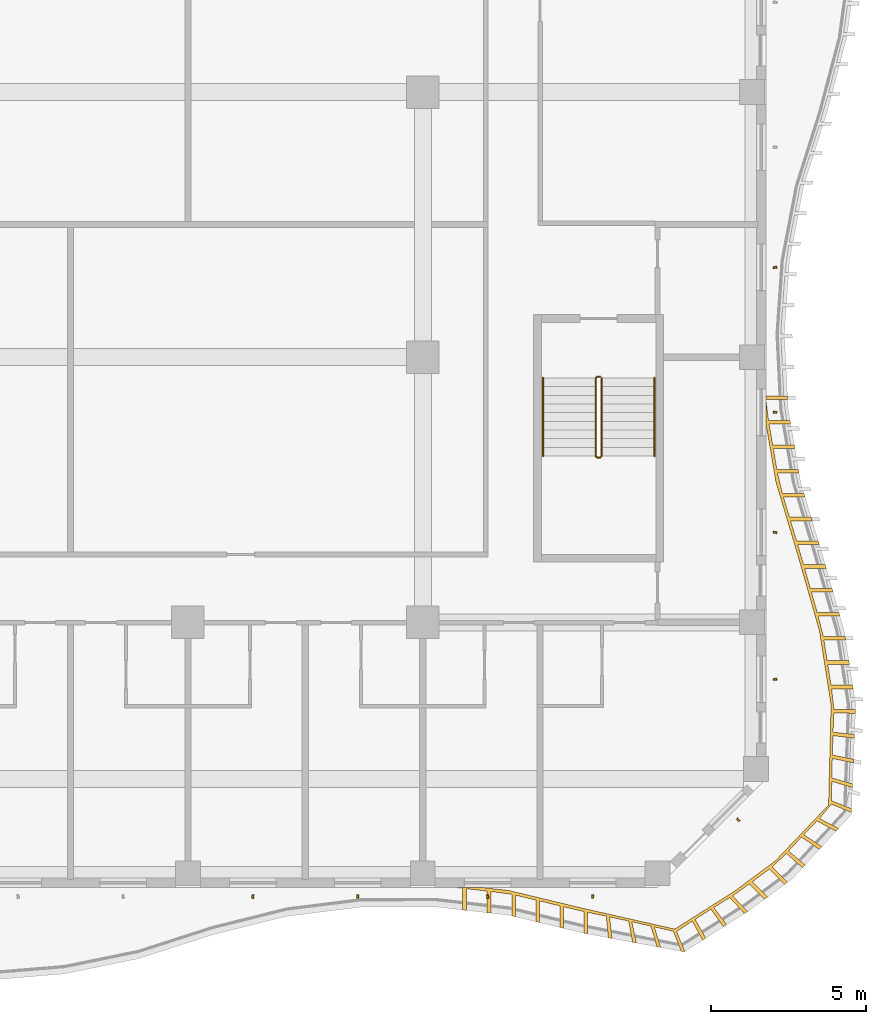
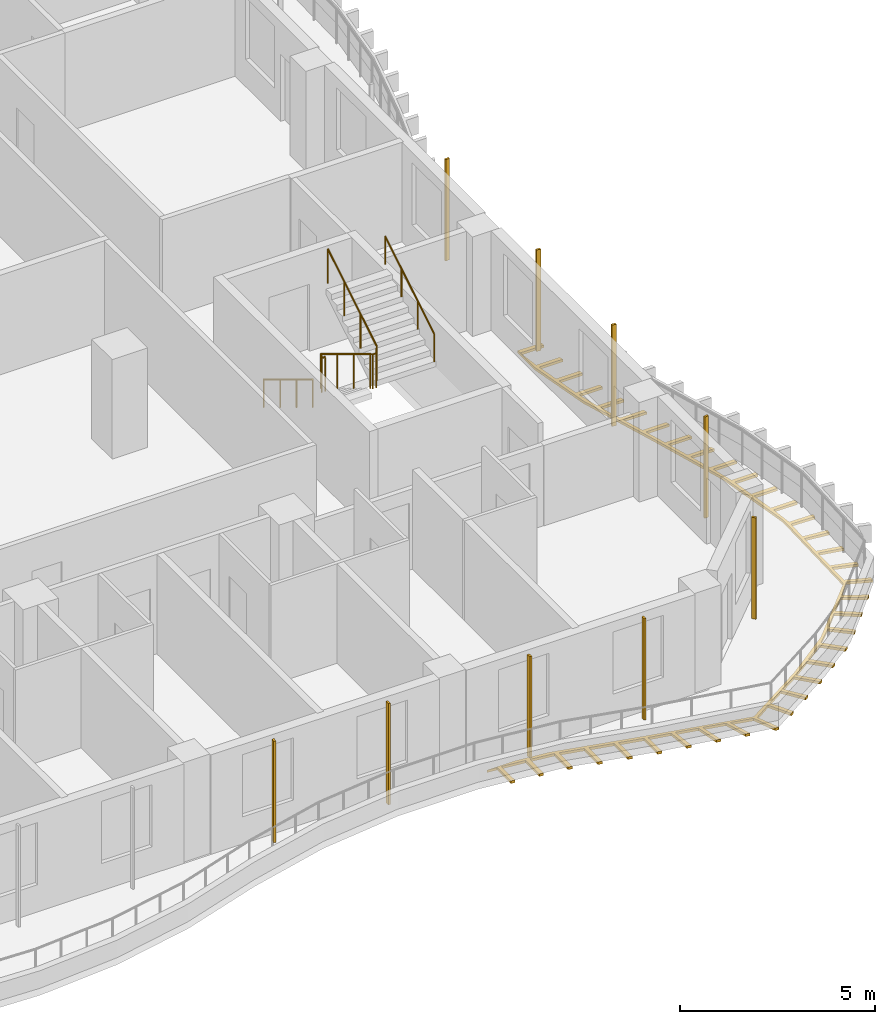
# One storey, part 19 of 24: 10 shading devices, 3 railings.
"""IFC4 building model written with IfcOpenShell, lengths in metres."""

from ifc_helpers import new_model, si_unit, direction, frame, origin, origin_2d, place, context, subcontext, project, spatial, polyline, rectangle, circle, outline, extrude, source, transform, mapped, material, layer, layer_set, material_profile, profile_set, type_object, element, save


model = new_model("IFC4")

# Units and contexts
model_context = context("Model", 3, precision=1e-05, world=origin(), true_north=direction((0.0, 1.0)))
body_context = subcontext(model_context, "Body", "Model", "MODEL_VIEW")
ifc_project = project(units=[si_unit("LENGTHUNIT", "METRE"), si_unit("AREAUNIT", "SQUARE_METRE"), si_unit("VOLUMEUNIT", "CUBIC_METRE"), si_unit("PLANEANGLEUNIT", "RADIAN"), si_unit("MASSUNIT", "GRAM", prefix="KILO")], contexts=[model_context])

# Site, building, storey
site_placement = place(None, origin())
site = spatial("IfcSite", under=ifc_project, at=site_placement, CompositionType="ELEMENT")
building_placement = place(site_placement, origin())
building = spatial("IfcBuilding", under=site, at=building_placement, Name="Kilnfold Tower and Market Hall", CompositionType="ELEMENT")
storey_placement = place(building_placement, frame((0.0, 0.0, 175.300048828125)))
storey = spatial("IfcBuildingStorey", under=building, at=storey_placement, Name="L41", CompositionType="ELEMENT", Elevation=175.300048828125)

# Railings
ifc_material_1 = material(Name="Stainless steel 316", Category="steel")
railing_type_1 = type_object("IfcRailingType", Name="CORE STAIR GUARD 1100", PredefinedType="GUARDRAIL", material=ifc_material_1)
railing_1_placement = place(storey_placement, frame((19.89990234375, -9.75, 0.0)))
element("IfcRailing", 1, at=railing_1_placement, inside=storey, type_object=railing_type_1, Name="L41 ST4 stair guard 1", PredefinedType="GUARDRAIL", context=body_context, shape_type="SweptSolid", body=[
    extrude(circle(Radius=0.02392578125, at=origin_2d()), frame((0.0, 0.0, 1.076171875), z_axis=(-1.0, 0.0, 0.0), x_axis=(0.0, -1.0, 0.0)), (0.0, 0.0, 1.0), 0.099853515625),
    extrude(circle(Radius=0.02392578125, at=origin_2d()), frame((-0.099853515625, 0.0, 1.076171875), z_axis=(-0.271895245746, -0.271895245746, 0.923117517265), x_axis=(0.707106781187, -0.707106781187, 0.0)), (0.0, 0.0, 1.0), 0.18408203125),
    extrude(circle(Radius=0.02392578125, at=origin_2d()), frame((-0.14990234375, -0.050048828125, 1.24609375), z_axis=(0.0, -0.85478489116, 0.518982456201), x_axis=(1.0, 0.0, 0.0)), (0.0, 0.0, 1.0), 2.9482421875),
    extrude(circle(Radius=0.02392578125, at=origin_2d()), frame((-0.14990234375, -2.570068359375, 2.77587890625), z_axis=(0.707106781187, -0.707106781187, 0.0), x_axis=(0.707106781187, 0.707106781187, 0.0)), (0.0, 0.0, 1.0), 0.07080078125),
    extrude(circle(Radius=0.02392578125, at=origin_2d()), frame((-0.099853515625, -2.6201171875, 2.77587890625), z_axis=(1.0, 0.0, 0.0), x_axis=(0.0, 1.0, 0.0)), (0.0, 0.0, 1.0), 0.099853515625),
    extrude(circle(Radius=0.02392578125, at=origin_2d()), frame((0.0, -2.6201171875, 2.77587890625), z_axis=(0.271895245746, 0.271895245746, 0.923117517265), x_axis=(-0.707106781187, 0.707106781187, 0.0)), (0.0, 0.0, 1.0), 0.18408203125),
    extrude(circle(Radius=0.02392578125, at=origin_2d()), frame((0.050048828125, -2.570068359375, 2.94580078125), z_axis=(0.0, 0.85478489116, 0.518982456201), x_axis=(-1.0, 0.0, 0.0)), (0.0, 0.0, 1.0), 2.9482421875),
    extrude(circle(Radius=0.02099609375, at=origin_2d()), origin(), (0.0, 0.0, 1.0), 1.052001953125),
    extrude(circle(Radius=0.02099609375, at=origin_2d()), frame((-0.099853515625, 0.0, 0.0)), (0.0, 0.0, 1.0), 1.052001953125),
    extrude(circle(Radius=0.02099609375, at=origin_2d()), frame((-0.14990234375, -0.050048828125, 0.169921875)), (0.0, 0.0, 1.0), 1.052001953125),
    extrude(circle(Radius=0.02099609375, at=origin_2d()), frame((-0.14990234375, -0.89013671875, 0.679931640625)), (0.0, 0.0, 1.0), 1.052001953125),
    extrude(circle(Radius=0.02099609375, at=origin_2d()), frame((-0.14990234375, -1.72998046875, 1.18994140625)), (0.0, 0.0, 1.0), 1.052001953125),
    extrude(circle(Radius=0.02099609375, at=origin_2d()), frame((-0.14990234375, -2.570068359375, 1.699951171875)), (0.0, 0.0, 1.0), 1.052001953125),
    extrude(circle(Radius=0.02099609375, at=origin_2d()), frame((-0.099853515625, -2.6201171875, 1.699951171875)), (0.0, 0.0, 1.0), 1.052001953125),
    extrude(circle(Radius=0.02099609375, at=origin_2d()), frame((0.0, -2.6201171875, 1.699951171875)), (0.0, 0.0, 1.0), 1.052001953125),
    extrude(circle(Radius=0.02099609375, at=origin_2d()), frame((0.050048828125, -2.570068359375, 1.869873046875)), (0.0, 0.0, 1.0), 1.052001953125),
    extrude(circle(Radius=0.02099609375, at=origin_2d()), frame((0.050048828125, -1.72998046875, 2.3798828125)), (0.0, 0.0, 1.0), 1.052001953125),
    extrude(circle(Radius=0.02099609375, at=origin_2d()), frame((0.050048828125, -0.89013671875, 2.889892578125)), (0.0, 0.0, 1.0), 1.052001953125),
    extrude(circle(Radius=0.02099609375, at=origin_2d()), frame((0.050048828125, -0.050048828125, 3.39990234375)), (0.0, 0.0, 1.0), 1.052001953125),
])
ifc_material_2 = material(Name="Stainless steel 316", Category="steel")
railing_type_2 = type_object("IfcRailingType", Name="CORE STAIR HANDRAIL 900", PredefinedType="HANDRAIL", material=ifc_material_2)
railing_2_placement = place(storey_placement, frame((18.050048828125, -9.800048828125, 0.169921875)))
element("IfcRailing", 2, at=railing_2_placement, inside=storey, type_object=railing_type_2, Name="L41 ST4 stair handrail 1", PredefinedType="HANDRAIL", context=body_context, shape_type="SweptSolid", body=[
    extrude(circle(Radius=0.02392578125, at=origin_2d()), frame((0.0, 0.0, 0.8759765625), z_axis=(0.0, -0.85478489116, 0.518982456201), x_axis=(1.0, 0.0, 0.0)), (0.0, 0.0, 1.0), 2.9482421875),
    extrude(circle(Radius=0.02099609375, at=origin_2d()), origin(), (0.0, 0.0, 1.0), 0.851806640625),
    extrude(circle(Radius=0.02099609375, at=origin_2d()), frame((0.0, -0.840087890625, 0.510009765625)), (0.0, 0.0, 1.0), 0.851806640625),
    extrude(circle(Radius=0.02099609375, at=origin_2d()), frame((0.0, -1.679931640625, 1.02001953125)), (0.0, 0.0, 1.0), 0.851806640625),
    extrude(circle(Radius=0.02099609375, at=origin_2d()), frame((0.0, -2.52001953125, 1.530029296875)), (0.0, 0.0, 1.0), 0.851806640625),
])
railing_3_placement = place(storey_placement, frame((21.64990234375, -12.320068359375, 1.869873046875)))
element("IfcRailing", 3, at=railing_3_placement, inside=storey, type_object=railing_type_2, Name="L41 ST4 stair handrail 2", PredefinedType="HANDRAIL", context=body_context, shape_type="SweptSolid", body=[
    extrude(circle(Radius=0.02392578125, at=origin_2d()), frame((0.0, 0.0, 0.8759765625), z_axis=(0.0, 0.85478489116, 0.518982456201), x_axis=(-1.0, 0.0, 0.0)), (0.0, 0.0, 1.0), 2.9482421875),
    extrude(circle(Radius=0.02099609375, at=origin_2d()), origin(), (0.0, 0.0, 1.0), 0.851806640625),
    extrude(circle(Radius=0.02099609375, at=origin_2d()), frame((0.0, 0.840087890625, 0.510009765625)), (0.0, 0.0, 1.0), 0.851806640625),
    extrude(circle(Radius=0.02099609375, at=origin_2d()), frame((0.0, 1.679931640625, 1.02001953125)), (0.0, 0.0, 1.0), 0.851806640625),
    extrude(circle(Radius=0.02099609375, at=origin_2d()), frame((0.0, 2.52001953125, 1.530029296875)), (0.0, 0.0, 1.0), 0.851806640625),
])

# Shading devices
ifc_material_3 = material(Name="Terracotta", Category="masonry")
ifc_material_profile = material_profile(ifc_material_3, rectangle(XDim=0.06005859375, YDim=0.1201171875, at=origin_2d()), Name="BAG 60x120")
ifc_profile_set = profile_set([ifc_material_profile], Name="Terracotta")
shading_device_type_1 = type_object("IfcShadingDeviceType", Name="BAGUETTE", PredefinedType="USERDEFINED", material=ifc_profile_set)
shared_shape_1 = source(origin(), body_context, "Body", "SweptSolid", [
    extrude(rectangle(XDim=0.06005859375, YDim=0.1201171875, at=origin_2d()), origin(), (0.0, 0.0, 1.0), 3.179931640625),
])
for number, where, z_axis, x_axis, name in (
    (4, (8.67919921875, -26.550048828125, 0.0), (0.0, 0.0, 1.0), (0.990278996317, -0.139095325059, 0.0), "Terracotta baguette L41 S"),
    (5, (12.07080078125, -26.550048828125, 0.0), (0.0, 0.0, 1.0), (0.999997843157, -0.002076940317, 0.0), "Terracotta baguette L41 S"),
    (6, (16.262451171875, -26.550048828125, 0.0), (0.0, 0.0, 1.0), (0.991092310922, 0.133176691771, 0.0), "Terracotta baguette L41 S"),
    (7, (19.654296875, -26.550048828125, 0.0), (0.0, 0.0, 1.0), (0.999417809691, -0.034118054926, 0.0), "Terracotta baguette L41 S"),
    (8, (24.35498046875, -24.0693359375, 0.0), (0.0, 0.0, 1.0), (0.747496733357, 0.664265484292, 0.0), "Terracotta baguette L41 SE"),
    (9, (25.550048828125, -19.53173828125, 0.0), (0.0, 0.0, 1.0), (-0.137802391443, 0.990459742197, 0.0), "Terracotta baguette L41 E"),
    (10, (25.550048828125, -14.78759765625, 0.0), (0.0, 0.0, 1.0), (0.08975825786, 0.995963581235, 0.0), "Terracotta baguette L41 E"),
    (11, (25.550048828125, -10.90625, 0.0), (0.0, 0.0, 1.0), (0.089864292697, 0.99595401947, 0.0), "Terracotta baguette L41 E"),
    (12, (25.550048828125, -6.22509765625, 0.0), (0.0, 0.0, 1.0), (-0.137174853584, 0.990546848738, 0.0), "Terracotta baguette L41 E"),
):
    element("IfcShadingDevice", number, at=place(storey_placement, frame(where, z_axis=z_axis, x_axis=x_axis)), inside=storey, type_object=shading_device_type_1, Name=name, ObjectType="BAGUETTE", PredefinedType="USERDEFINED", context=body_context, shape_type="MappedRepresentation", body=[
        mapped(shared_shape_1, transform((0.0, 0.0, 0.0))),
    ])
ifc_material_4 = material(Name="Bronze anodised aluminium", Category="aluminium")
ifc_layer = layer(ifc_material_4, 0.080078125)
ifc_layer_set = layer_set([ifc_layer], Name="Bronze anodised aluminium")
shading_device_type_2 = type_object("IfcShadingDeviceType", Name="BRONZE SLAT SOFFIT 80", PredefinedType="USERDEFINED", material=ifc_layer_set)
shared_shape_2 = source(origin(), body_context, "Body", "SweptSolid", [
    extrude(outline(polyline([(16.96044921875, -26.35693359375), (19.355224609375, -26.93212890625), (22.308837890625, -27.59912109375), (24.221923828125, -26.388671875), (25.560546875, -25.393798828125), (27.277587890625, -23.58984375), (27.357177734375, -20.355224609375), (26.98046875, -17.96044921875), (26.297119140625, -15.56591796875), (25.579345703125, -13.171142578125), (25.25, -11.244873046875), (25.25, -10.37548828125), (25.9501953125, -10.380126953125), (25.956298828125, -10.5), (25.256103515625, -10.5), (25.337890625, -11.173828125), (26.037841796875, -11.173828125), (26.05810546875, -11.2919921875), (25.358154296875, -11.2919921875), (25.47265625, -11.96240234375), (26.172607421875, -11.96240234375), (26.19287109375, -12.080810546875), (25.492919921875, -12.080810546875), (25.607421875, -12.7509765625), (26.3076171875, -12.7509765625), (26.32763671875, -12.869140625), (25.627685546875, -12.869140625), (25.78662109375, -13.529052734375), (26.486572265625, -13.529052734375), (26.52099609375, -13.64404296875), (25.821044921875, -13.64404296875), (26.016357421875, -14.29541015625), (26.71630859375, -14.29541015625), (26.750732421875, -14.410400390625), (26.05078125, -14.410400390625), (26.24609375, -15.061767578125), (26.946044921875, -15.061767578125), (26.98046875, -15.1767578125), (26.280517578125, -15.1767578125), (26.47216796875, -15.8291015625), (27.172119140625, -15.8291015625), (27.205078125, -15.944580078125), (26.505126953125, -15.944580078125), (26.691650390625, -16.598388671875), (27.3916015625, -16.598388671875), (27.4248046875, -16.7138671875), (26.724609375, -16.7138671875), (26.9111328125, -17.36767578125), (27.611083984375, -17.36767578125), (27.644287109375, -17.483154296875), (26.944091796875, -17.483154296875), (27.10888671875, -18.141845703125), (27.808837890625, -18.141845703125), (27.82763671875, -18.26025390625), (27.127685546875, -18.26025390625), (27.2333984375, -18.931884765625), (27.933349609375, -18.931884765625), (27.951904296875, -19.050537109375), (27.251953125, -19.050537109375), (27.357666015625, -19.722412109375), (28.0576171875, -19.722412109375), (28.076416015625, -19.8408203125), (27.376220703125, -19.8408203125), (27.450927734375, -20.502197265625), (28.15087890625, -20.514404296875), (28.14599609375, -20.63427734375), (27.446533203125, -20.613037109375), (27.423095703125, -21.239990234375), (28.119140625, -21.313720703125), (28.114501953125, -21.43359375), (27.419189453125, -21.350830078125), (27.400634765625, -21.9775390625), (28.08740234375, -22.11328125), (28.082763671875, -22.233154296875), (27.397705078125, -22.088134765625), (27.3837890625, -22.716064453125), (28.0556640625, -22.91259765625), (28.051025390625, -23.032470703125), (27.3818359375, -22.826904296875), (27.3720703125, -23.45703125), (28.02392578125, -23.7119140625), (28.019287109375, -23.831787109375), (27.37060546875, -23.568359375), (26.979248046875, -24.02783203125), (27.600830078125, -24.35009765625), (27.519775390625, -24.4384765625), (26.90380859375, -24.10595703125), (26.479248046875, -24.5498046875), (27.060302734375, -24.93994140625), (26.979248046875, -25.0283203125), (26.40478515625, -24.62841796875), (25.986572265625, -25.076416015625), (26.52001953125, -25.52978515625), (26.43896484375, -25.618408203125), (25.913330078125, -25.156005859375), (25.45703125, -25.593994140625), (25.951904296875, -26.089111328125), (25.855712890625, -26.16064453125), (25.360595703125, -25.665771484375), (24.81494140625, -26.0712890625), (25.309814453125, -26.56640625), (25.21337890625, -26.6376953125), (24.718505859375, -26.142822265625), (24.177734375, -26.52880859375), (24.66162109375, -27.03466796875), (24.560302734375, -27.09912109375), (24.085693359375, -26.58447265625), (23.568115234375, -26.903564453125), (23.98681640625, -27.46435546875), (23.8857421875, -27.52880859375), (23.477294921875, -26.960205078125), (22.965576171875, -27.285888671875), (23.312255859375, -27.894287109375), (23.2109375, -27.958740234375), (22.875732421875, -27.34423828125), (22.366943359375, -27.678466796875), (22.637451171875, -28.323974609375), (22.614990234375, -28.33837890625), (22.523193359375, -28.3212890625), (22.26220703125, -27.671630859375), (21.646484375, -27.528564453125), (21.8544921875, -28.197021484375), (21.73681640625, -28.175048828125), (21.5380859375, -27.50390625), (20.924560546875, -27.365478515625), (21.068115234375, -28.05078125), (20.9501953125, -28.02880859375), (20.81640625, -27.341552734375), (20.204345703125, -27.208740234375), (20.281494140625, -27.904296875), (20.16357421875, -27.882568359375), (20.09619140625, -27.185791015625), (19.4833984375, -27.058349609375), (19.4951171875, -27.75830078125), (19.377197265625, -27.736328125), (19.375244140625, -27.036376953125), (18.7158203125, -26.87841796875), (18.7158203125, -27.57861328125), (18.59912109375, -27.550537109375), (18.59912109375, -26.8505859375), (17.937744140625, -26.691650390625), (17.937744140625, -27.3916015625), (17.821044921875, -27.363525390625), (17.821044921875, -26.66357421875), (17.159912109375, -26.5048828125), (17.159912109375, -27.204833984375), (17.043212890625, -27.1767578125), (17.043212890625, -26.476806640625), (16.369384765625, -26.388671875), (16.369384765625, -27.088623046875), (16.250244140625, -27.074951171875), (16.250244140625, -26.375), (15.57470703125, -26.297119140625), (15.57470703125, -26.9970703125), (15.45556640625, -26.9833984375), (15.45556640625, -26.283203125), (15.167236328125, -26.25), (16.033935546875, -26.25), (16.96044921875, -26.35693359375)])), origin(), (0.0, 0.0, 1.0), 0.080078125),
])
shading_device_placement = place(storey_placement, frame((0.0, 0.0, -0.300048828125)))
element("IfcShadingDevice", 13, at=shading_device_placement, inside=storey, type_object=shading_device_type_2, Name="Balcony soffit slats L41", ObjectType="SLAT", PredefinedType="USERDEFINED", context=body_context, shape_type="MappedRepresentation", body=[
    mapped(shared_shape_2, transform((0.0, 0.0, 0.0))),
])

save(model, "model.ifc")
